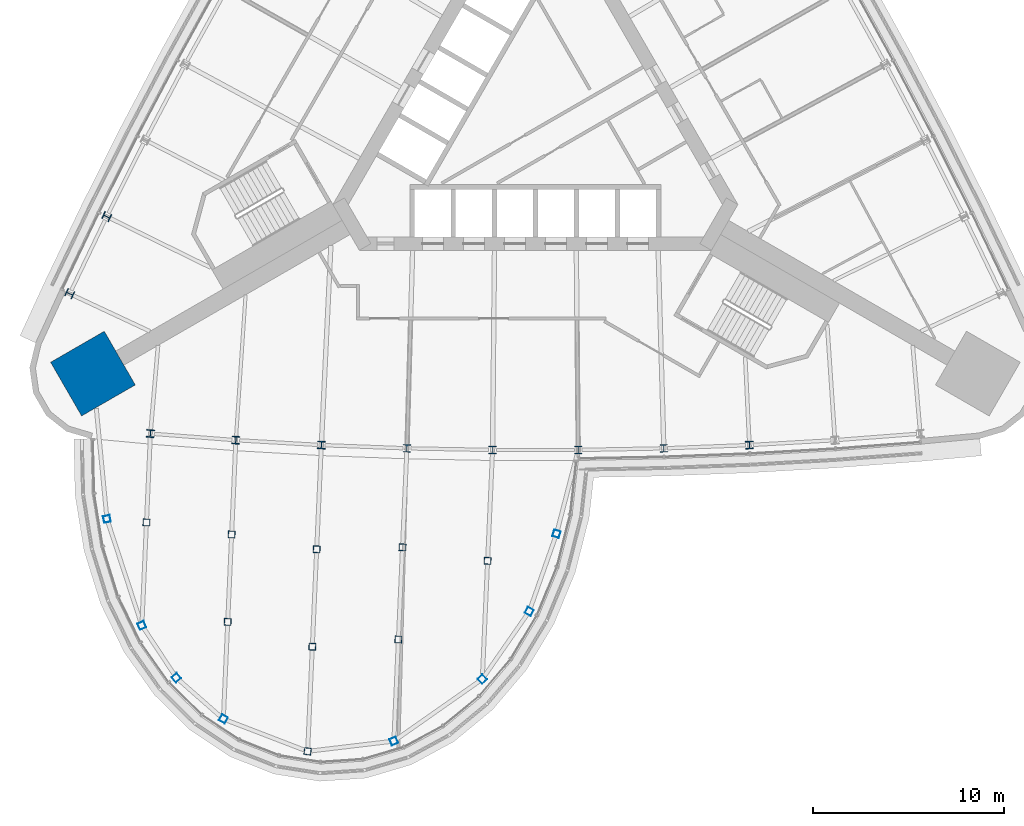
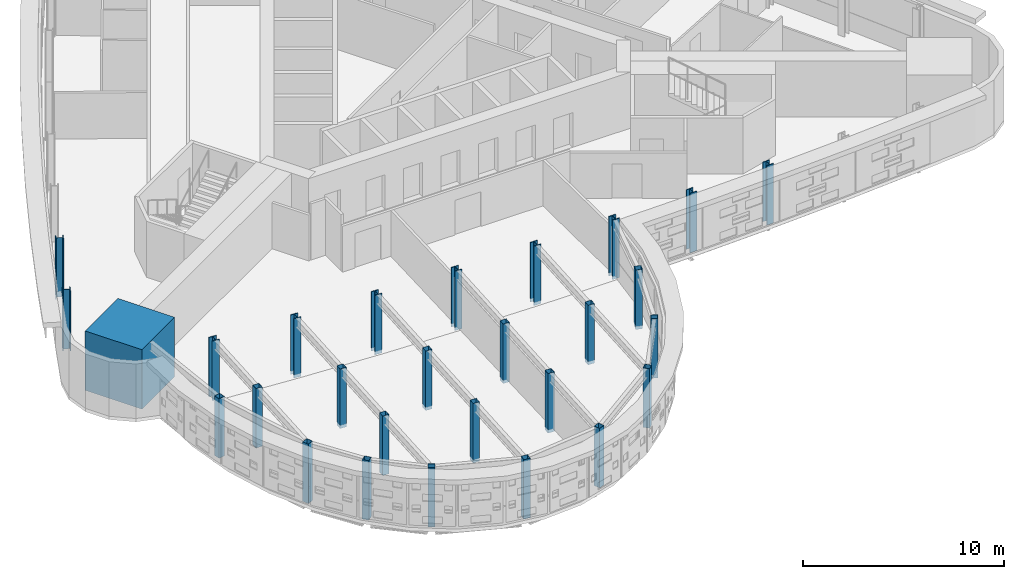
# One storey, part 1 of 16: 28 columns.
"""IFC4 building model written with IfcOpenShell, lengths in metres."""

from ifc_helpers import new_model, si_unit, direction, frame, origin, origin_2d, place, context, subcontext, project, spatial, rectangle, hollow_rectangle, i_section, extrude, material, material_profile, profile_set, type_object, element, save


model = new_model("IFC4")

# Units and contexts
model_context = context("Model", 3, precision=1e-05, world=origin(), true_north=direction((0.0, 1.0)))
body_context = subcontext(model_context, "Body", "Model", "MODEL_VIEW")
ifc_project = project(units=[si_unit("LENGTHUNIT", "METRE"), si_unit("AREAUNIT", "SQUARE_METRE"), si_unit("VOLUMEUNIT", "CUBIC_METRE"), si_unit("PLANEANGLEUNIT", "RADIAN"), si_unit("MASSUNIT", "GRAM", prefix="KILO")], contexts=[model_context])

# Site, building, storey
site_placement = place(None, origin())
site = spatial("IfcSite", under=ifc_project, at=site_placement, CompositionType="ELEMENT")
building_placement = place(site_placement, origin())
building = spatial("IfcBuilding", under=site, at=building_placement, Name="Noor Cloister Tower", CompositionType="ELEMENT")
storey_placement = place(building_placement, frame((0.0, 0.0, 65.39990234375)))
storey = spatial("IfcBuildingStorey", under=building, at=storey_placement, Name="L16", CompositionType="ELEMENT", Elevation=65.39990234375)

# Columns
ifc_material_1 = material(Name="Steel ASTM A992 Gr 50", Category="steel")
ifc_material_profile_1 = material_profile(ifc_material_1, i_section(OverallWidth=0.404052734375, OverallDepth=0.406005859375, WebThickness=0.027099609375, FlangeThickness=0.043701171875, FilletRadius=0.01513671875, at=origin_2d()), Name="W360x347")
ifc_profile_set_1 = profile_set([ifc_material_profile_1], Name="Steel ASTM A992 Gr 50")
column_type_1 = type_object("IfcColumnType", Name="Column W360x347", PredefinedType="COLUMN", material=ifc_profile_set_1)
for number, where, z_axis, x_axis, name in (
    (1, (-22.46923828125, -5.157958984375, -0.199951171875), (0.0, 0.0, 1.0), (-0.441044131004, -0.897485417434, 0.0), "Column NW 09 L16"),
    (2, (-24.41064453125, -9.205810546875, -0.199951171875), (0.0, 0.0, 1.0), (-0.423826109857, -0.905743577732, 0.0), "Column NW 10 L16"),
    (3, (-20.177978515625, -16.537353515625, -0.199951171875), (0.0, 0.0, 1.0), (0.996310002559, -0.085827610942, 0.0), "Column S 01 L16"),
    (4, (-15.70166015625, -16.8798828125, -0.199951171875), (0.0, 0.0, 1.0), (0.997767236526, -0.066787287078, 0.0), "Column S 02 L16"),
    (5, (-11.219482421875, -17.136962890625, -0.199951171875), (0.0, 0.0, 1.0), (0.998860627223, -0.047722608731, 0.0), "Column S 03 L16"),
    (6, (-6.7333984375, -17.308349609375, -0.199951171875), (0.0, 0.0, 1.0), (0.999589775937, -0.028640527978, 0.0), "Column S 04 L16"),
    (7, (-2.24462890625, -17.39404296875, -0.199951171875), (0.0, 0.0, 1.0), (0.999954416778, -0.009548003243, 0.0), "Column S 05 L16"),
    (8, (2.24462890625, -17.39404296875, -0.199951171875), (0.0, 0.0, 1.0), (0.999954416778, 0.009548003243, 0.0), "Column S 06 L16"),
    (9, (6.7333984375, -17.308349609375, -0.199951171875), (0.0, 0.0, 1.0), (0.999589775937, 0.028640527978, 0.0), "Column S 07 L16"),
    (10, (11.219482421875, -17.136962890625, -0.199951171875), (0.0, 0.0, 1.0), (0.998860627223, 0.047722608731, 0.0), "Column S 08 L16"),
):
    element("IfcColumn", number, at=place(storey_placement, frame(where, z_axis=z_axis, x_axis=x_axis)), inside=storey, type_object=column_type_1, Name=name, PredefinedType="COLUMN", context=body_context, shape_type="SweptSolid", body=[
        extrude(i_section(OverallWidth=0.404052734375, OverallDepth=0.406005859375, WebThickness=0.027099609375, FlangeThickness=0.043701171875, FilletRadius=0.01513671875, at=origin_2d()), origin(), (0.0, 0.0, 1.0), 3.60009765625),
    ])
ifc_material_2 = material(Name="Concrete C80/95", Category="concrete")
ifc_material_profile_2 = material_profile(ifc_material_2, rectangle(XDim=3.25, YDim=3.25, at=origin_2d()), Name="RC 3250x3250")
ifc_profile_set_2 = profile_set([ifc_material_profile_2], Name="Concrete C80/95")
column_type_2 = type_object("IfcColumnType", Name="Corner pier 3250 x 3250 C80/95", PredefinedType="COLUMN", material=ifc_profile_set_2)
column_placement = place(storey_placement, frame((-23.192138671875, -13.389892578125, -0.199951171875), z_axis=(0.0, 0.0, 1.0), x_axis=(-0.866025403784, -0.5, 0.0)))
element("IfcColumn", 11, at=column_placement, inside=storey, type_object=column_type_2, Name="Corner pier SW L16", PredefinedType="COLUMN", context=body_context, shape_type="SweptSolid", body=[
    extrude(rectangle(XDim=3.25, YDim=3.25, at=origin_2d()), origin(), (0.0, 0.0, 1.0), 3.60009765625),
])
ifc_material_3 = material(Name="Steel ASTM A500 Gr C", Category="steel")
ifc_material_profile_3 = material_profile(ifc_material_3, hollow_rectangle(XDim=0.35595703125, YDim=0.35595703125, WallThickness=0.0126953125, at=origin_2d()), Name="HSS355.6x355.6x12.7")
ifc_profile_set_3 = profile_set([ifc_material_profile_3], Name="Steel ASTM A500 Gr C")
column_type_3 = type_object("IfcColumnType", Name="Pod post HSS355.6x355.6x12.7", PredefinedType="COLUMN", material=ifc_profile_set_3)
for number, where, z_axis, x_axis, name in (
    (12, (-20.38623046875, -21.193115234375, -0.199951171875), (0.0, 0.0, 1.0), (-0.044724271648, -0.998999369132, 0.0), "Pod post 1 L16 line 1 node 1"),
    (13, (-15.9228515625, -21.82275390625, -0.199951171875), (0.0, 0.0, 1.0), (-0.044724271648, -0.998999369132, 0.0), "Pod post 1 L16 line 2 node 1"),
    (14, (-16.1279296875, -26.40625, -0.199951171875), (0.0, 0.0, 1.0), (-0.044724271648, -0.998999369132, 0.0), "Pod post 1 L16 line 2 node 2"),
    (15, (-11.464111328125, -22.60009765625, -0.199951171875), (0.0, 0.0, 1.0), (-0.044724271648, -0.998999369132, 0.0), "Pod post 1 L16 line 3 node 1"),
    (16, (-11.692626953125, -27.707275390625, -0.199951171875), (0.0, 0.0, 1.0), (-0.044724271648, -0.998999369132, 0.0), "Pod post 1 L16 line 3 node 2"),
    (17, (-6.965576171875, -22.4970703125, -0.199951171875), (0.0, 0.0, 1.0), (-0.044724271648, -0.998999369132, 0.0), "Pod post 1 L16 line 4 node 1"),
    (18, (-7.181884765625, -27.327392578125, -0.199951171875), (0.0, 0.0, 1.0), (-0.044724271648, -0.998999369132, 0.0), "Pod post 1 L16 line 4 node 2"),
    (19, (-2.5048828125, -23.20458984375, -0.199951171875), (0.0, 0.0, 1.0), (-0.044724271648, -0.998999369132, 0.0), "Pod post 1 L16 line 5 node 1"),
    (20, (-22.458251953125, -21.009521484375, -0.199951171875), (0.0, 0.0, 1.0), (0.199784732391, -0.979839813798, 0.0), "Pod post 1 L16 ring 2"),
    (21, (-20.6279296875, -26.590576171875, -0.199951171875), (0.0, 0.0, 1.0), (0.400492107305, -0.91630020844, 0.0), "Pod post 1 L16 ring 3"),
    (22, (-18.82080078125, -29.33154296875, -0.199951171875), (0.0, 0.0, 1.0), (0.656895642858, -0.753981507992, 0.0), "Pod post 1 L16 ring 4"),
    (23, (-16.355712890625, -31.494140625, -0.199951171875), (0.0, 0.0, 1.0), (0.872197636381, -0.489153639556, 0.0), "Pod post 1 L16 ring 5"),
    (24, (-11.938232421875, -33.191650390625, -0.199951171875), (0.0, 0.0, 1.0), (0.991693765435, -0.128621442994, 0.0), "Pod post 1 L16 ring 6"),
    (25, (-7.42041015625, -32.653076171875, -0.199951171875), (0.0, 0.0, 1.0), (0.924064089227, 0.382237568798, 0.0), "Pod post 1 L16 ring 7"),
    (26, (-2.782470703125, -29.404296875, -0.199951171875), (0.0, 0.0, 1.0), (0.722456554372, 0.691416319625, 0.0), "Pod post 1 L16 ring 8"),
    (27, (-0.32275390625, -25.8603515625, -0.199951171875), (0.0, 0.0, 1.0), (0.454860564449, 0.890562668715, 0.0), "Pod post 1 L16 ring 9"),
    (28, (1.108154296875, -21.787109375, -0.199951171875), (0.0, 0.0, 1.0), (0.291129933307, 0.956683522348, 0.0), "Pod post 1 L16 ring 10"),
):
    element("IfcColumn", number, at=place(storey_placement, frame(where, z_axis=z_axis, x_axis=x_axis)), inside=storey, type_object=column_type_3, Name=name, PredefinedType="COLUMN", context=body_context, shape_type="SweptSolid", body=[
        extrude(hollow_rectangle(XDim=0.35595703125, YDim=0.35595703125, WallThickness=0.0126953125, at=origin_2d()), origin(), (0.0, 0.0, 1.0), 3.60009765625),
    ])

save(model, "model.ifc")
